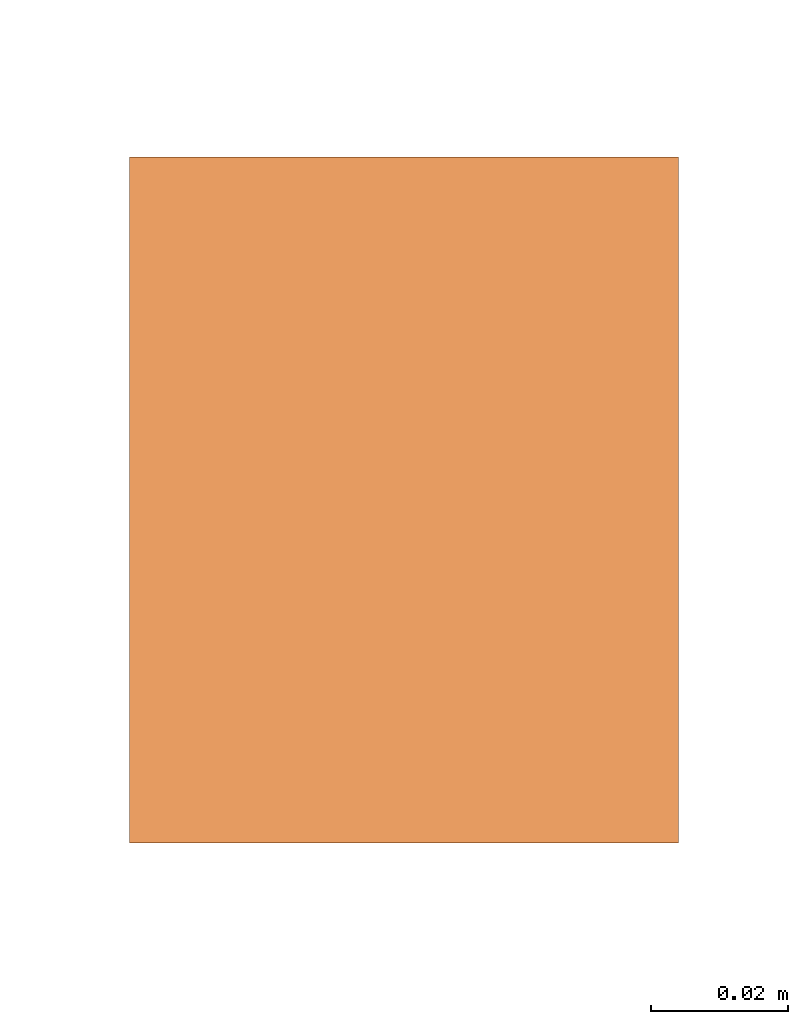
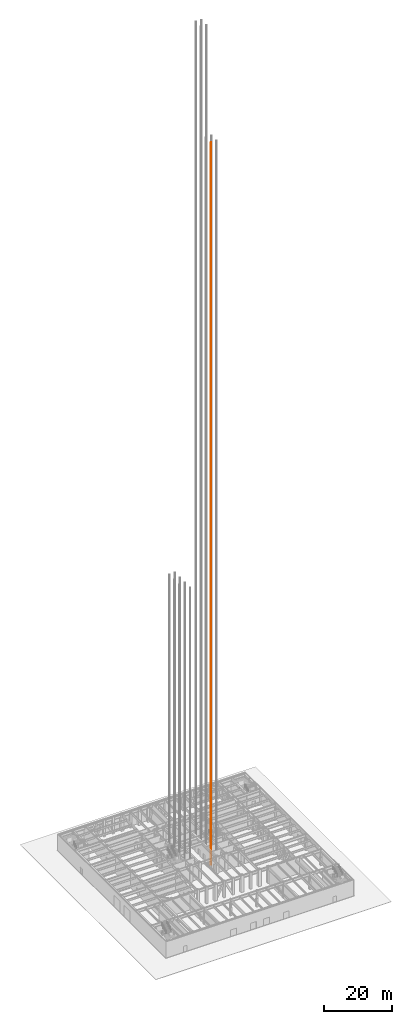
# One storey, part 28 of 35: 1 proxy.
"""IFC4 building model written with IfcOpenShell, lengths in metres."""

from ifc_helpers import new_model, si_unit, direction, frame, origin, origin_2d, place, context, subcontext, project, spatial, rectangle, extrude, material, type_object, element, save


model = new_model("IFC4")

# Units and contexts
model_context = context("Model", 3, precision=1e-05, world=origin(), true_north=direction((0.0, 1.0)))
body_context = subcontext(model_context, "Body", "Model", "MODEL_VIEW")
ifc_project = project(units=[si_unit("LENGTHUNIT", "METRE"), si_unit("AREAUNIT", "SQUARE_METRE"), si_unit("VOLUMEUNIT", "CUBIC_METRE"), si_unit("PLANEANGLEUNIT", "RADIAN"), si_unit("MASSUNIT", "GRAM", prefix="KILO")], contexts=[model_context])

# Site, building, storey
site_placement = place(None, origin())
site = spatial("IfcSite", under=ifc_project, at=site_placement, CompositionType="ELEMENT")
building_placement = place(site_placement, origin())
building = spatial("IfcBuilding", under=site, at=building_placement, Name="Chuquiago Exchange Tower", CompositionType="ELEMENT")
storey_placement = place(building_placement, origin())
storey = spatial("IfcBuildingStorey", under=building, at=storey_placement, Name="L00", CompositionType="ELEMENT", Elevation=0.0)

# Proxy
ifc_material = material(Name="Galvanised steel guide rail", Category="steel")
building_element_proxy_type = type_object("IfcBuildingElementProxyType", Name="LR lift guide rail", PredefinedType="NOTDEFINED", material=ifc_material)
proxy_placement = place(storey_placement, frame((26.06494140625, 16.5, 0.0), z_axis=(0.0, 0.0, 1.0), x_axis=(1.0, 0.0, 0.0)))
element("IfcBuildingElementProxy", 1, at=proxy_placement, inside=storey, type_object=building_element_proxy_type, Name="Lift LS1 guide rail W", PredefinedType="NOTDEFINED", context=body_context, shape_type="SweptSolid", body=[
    extrude(rectangle(XDim=0.080078125, YDim=0.10009765625, at=origin_2d()), origin(), (0.0, 0.0, 1.0), 260.60009765625),
])

save(model, "model.ifc")
